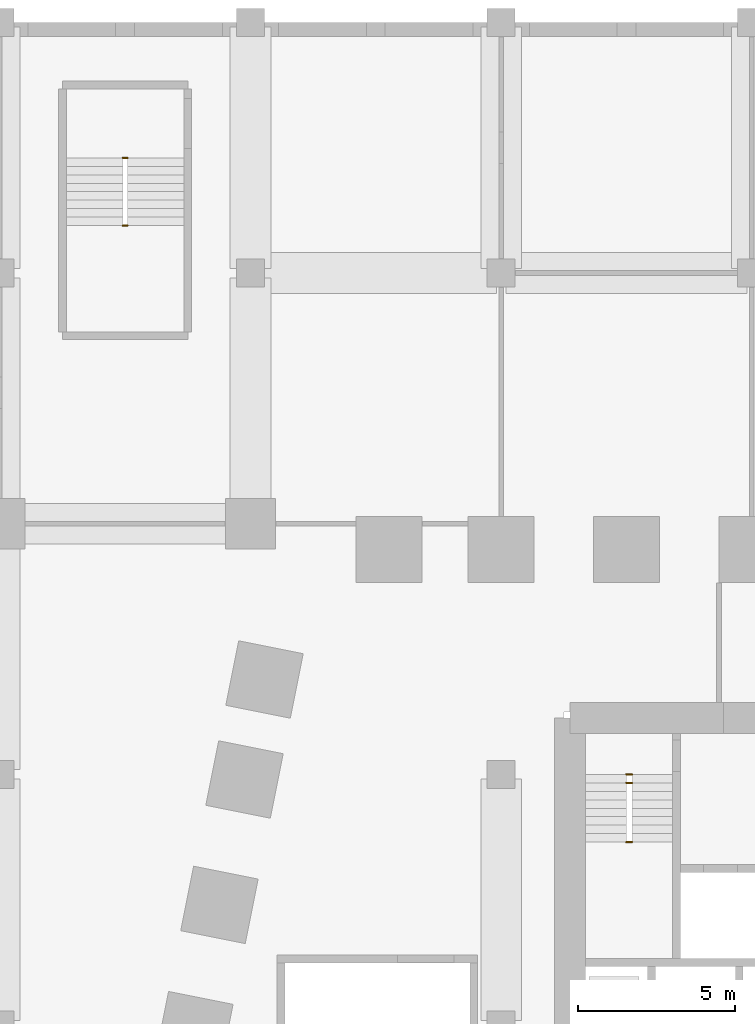
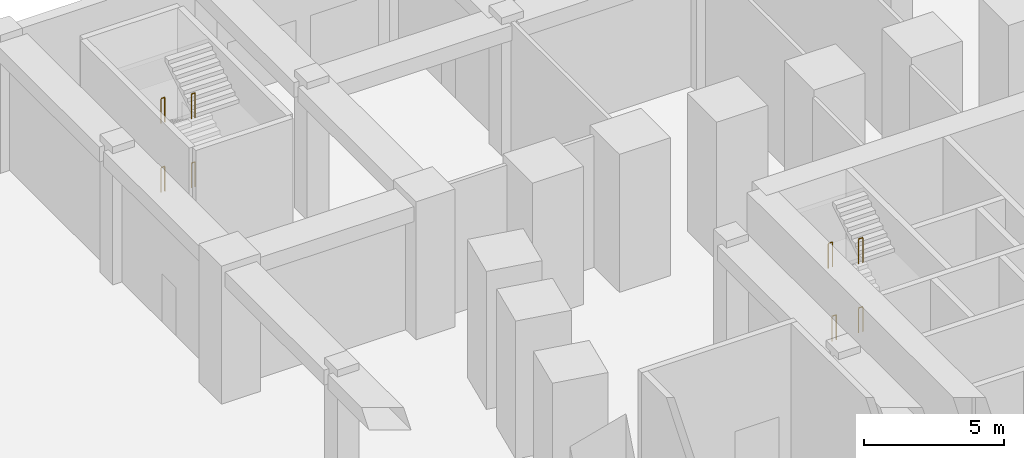
# One storey, part 22 of 28: 8 railings.
"""IFC4 building model written with IfcOpenShell, lengths in metres."""

from ifc_helpers import new_model, si_unit, direction, frame, origin, origin_2d, place, context, subcontext, project, spatial, circle, extrude, material, type_object, element, save


model = new_model("IFC4")

# Units and contexts
model_context = context("Model", 3, precision=1e-05, world=origin(), true_north=direction((0.0, 1.0)))
body_context = subcontext(model_context, "Body", "Model", "MODEL_VIEW")
ifc_project = project(units=[si_unit("LENGTHUNIT", "METRE"), si_unit("AREAUNIT", "SQUARE_METRE"), si_unit("VOLUMEUNIT", "CUBIC_METRE"), si_unit("PLANEANGLEUNIT", "RADIAN"), si_unit("MASSUNIT", "GRAM", prefix="KILO")], contexts=[model_context])

# Site, building, storey
site_placement = place(None, origin())
site = spatial("IfcSite", under=ifc_project, at=site_placement, CompositionType="ELEMENT")
building_placement = place(site_placement, origin())
building = spatial("IfcBuilding", under=site, at=building_placement, Name="Isbrekke Arena Tower", CompositionType="ELEMENT")
storey_placement = place(building_placement, origin())
storey = spatial("IfcBuildingStorey", under=building, at=storey_placement, Name="L00", CompositionType="ELEMENT", Elevation=0.0)

# Railings
ifc_material = material(Name="Steel stair guard, vertical bars, steel handrail", Category="steel")
railing_type = type_object("IfcRailingType", Name="GR3 STAIR WELL GUARD 1100", PredefinedType="GUARDRAIL", material=ifc_material)
for number, where, name in (
    (1, (-28.074951171875, 41.675048828125, 0.0), "GR3 stair well guard P2 L00"),
    (2, (-28.074951171875, 39.514892578125, 1.5), "GR3 stair well guard P2 L00"),
    (3, (-28.074951171875, 41.675048828125, 3.0), "GR3 stair well guard P2 L00"),
    (4, (-28.074951171875, 39.514892578125, 4.5), "GR3 stair well guard P2 L00"),
):
    element("IfcRailing", number, at=place(storey_placement, frame(where)), inside=storey, type_object=railing_type, Name=name, PredefinedType="GUARDRAIL", context=body_context, shape_type="SweptSolid", body=[
        extrude(circle(Radius=0.02392578125, at=origin_2d()), frame((0.0, 0.0, 1.076171875), z_axis=(1.0, 0.0, 0.0), x_axis=(0.0, 1.0, 0.0)), (0.0, 0.0, 1.0), 0.14990234375),
        extrude(circle(Radius=0.02099609375, at=origin_2d()), origin(), (0.0, 0.0, 1.0), 1.052001953125),
        extrude(circle(Radius=0.02099609375, at=origin_2d()), frame((0.14990234375, 0.0, 0.0)), (0.0, 0.0, 1.0), 1.052001953125),
    ])
for number, where, name in (
    (5, (-12.0, 21.72998046875, 0.0), "GR3 stair well guard ST1 L00"),
    (6, (-12.0, 19.840087890625, 1.5), "GR3 stair well guard ST1 L00"),
    (7, (-12.0, 22.0, 3.0), "GR3 stair well guard ST1 L00"),
    (8, (-12.0, 19.840087890625, 4.5), "GR3 stair well guard ST1 L00"),
):
    element("IfcRailing", number, at=place(storey_placement, frame(where)), inside=storey, type_object=railing_type, Name=name, PredefinedType="GUARDRAIL", context=body_context, shape_type="SweptSolid", body=[
        extrude(circle(Radius=0.02392578125, at=origin_2d()), frame((0.0, 0.0, 1.076171875), z_axis=(1.0, 0.0, 0.0), x_axis=(0.0, 1.0, 0.0)), (0.0, 0.0, 1.0), 0.175048828125),
        extrude(circle(Radius=0.02099609375, at=origin_2d()), origin(), (0.0, 0.0, 1.0), 1.052001953125),
        extrude(circle(Radius=0.02099609375, at=origin_2d()), frame((0.175048828125, 0.0, 0.0)), (0.0, 0.0, 1.0), 1.052001953125),
    ])

save(model, "model.ifc")
